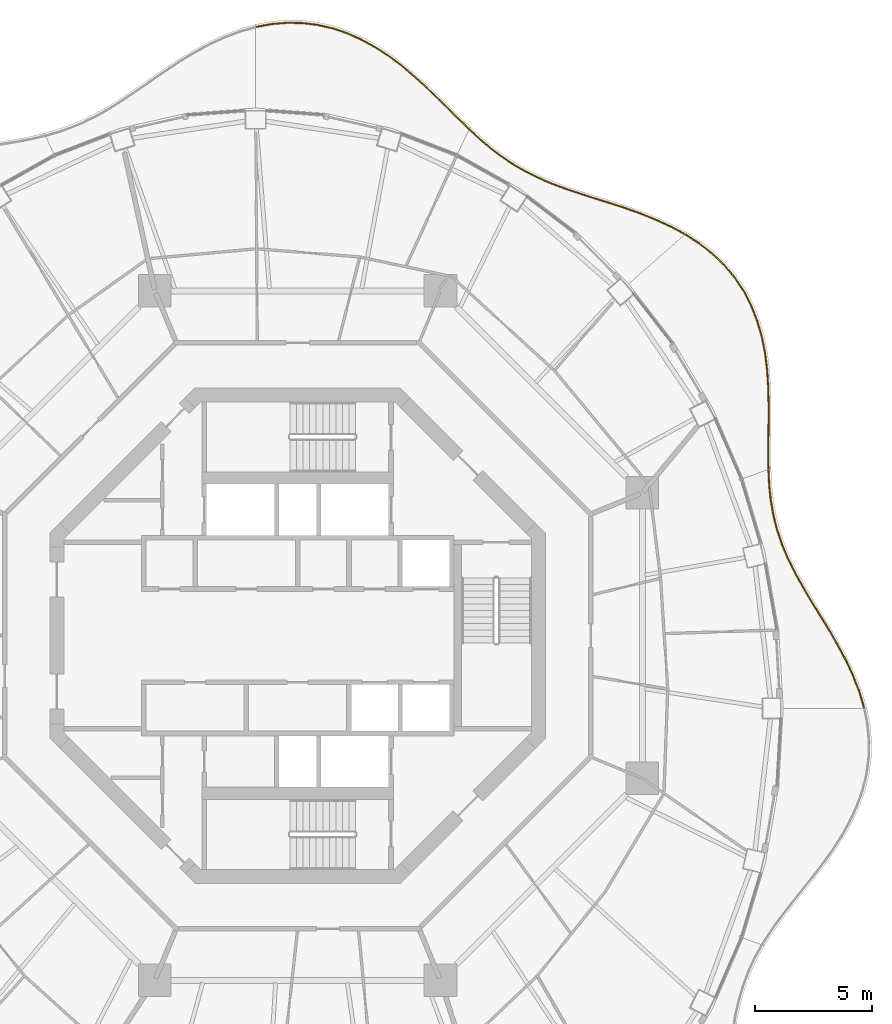
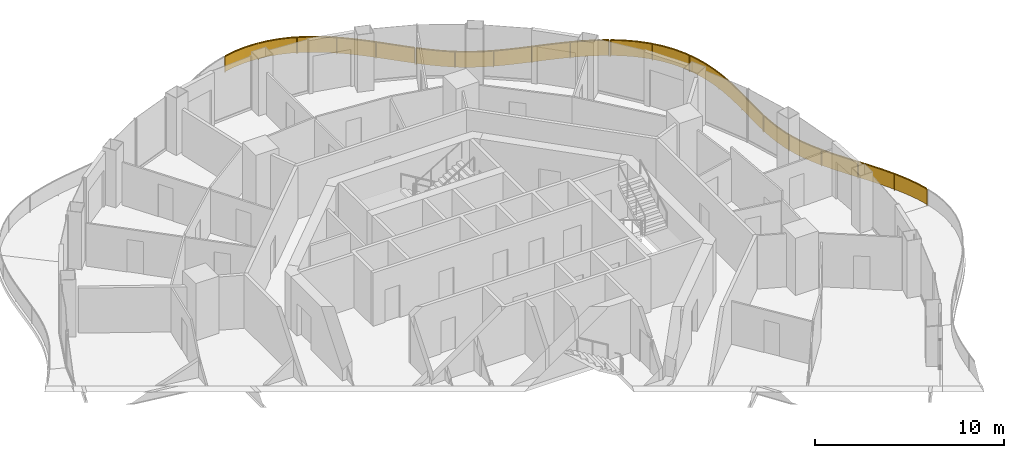
# One storey, part 17 of 17: 4 railings.
"""IFC4 building model written with IfcOpenShell, lengths in metres."""

from ifc_helpers import new_model, si_unit, direction, frame, origin, origin_2d, place, context, subcontext, project, spatial, polyline, rectangle, outline, extrude, material, type_object, element, save


model = new_model("IFC4")

# Units and contexts
model_context = context("Model", 3, precision=1e-05, world=origin(), true_north=direction((0.0, 1.0)))
body_context = subcontext(model_context, "Body", "Model", "MODEL_VIEW")
ifc_project = project(units=[si_unit("LENGTHUNIT", "METRE"), si_unit("AREAUNIT", "SQUARE_METRE"), si_unit("VOLUMEUNIT", "CUBIC_METRE"), si_unit("PLANEANGLEUNIT", "RADIAN"), si_unit("MASSUNIT", "GRAM", prefix="KILO")], contexts=[model_context])

# Site, building, storey
site_placement = place(None, origin())
site = spatial("IfcSite", under=ifc_project, at=site_placement, CompositionType="ELEMENT")
building_placement = place(site_placement, origin())
building = spatial("IfcBuilding", under=site, at=building_placement, Name="Nagisa Residences", CompositionType="ELEMENT")
storey_placement = place(building_placement, frame((0.0, 0.0, 273.300048828125)))
storey = spatial("IfcBuildingStorey", under=building, at=storey_placement, Name="L69", CompositionType="ELEMENT", Elevation=273.300048828125)

# Railings
ifc_material = material(Name="Stainless steel 316", Category="steel")
railing_type = type_object("IfcRailingType", Name="BALCONY GUARD 1100", PredefinedType="BALUSTRADE", material=ifc_material)
railing_1_placement = place(storey_placement, frame((24.2822265625, -3.08056640625, 0.0)))
element("IfcRailing", 1, at=railing_1_placement, inside=storey, type_object=railing_type, Name="guard:L69:bal00-0", PredefinedType="BALUSTRADE", context=body_context, shape_type="SweptSolid", body=[
    extrude(outline(polyline([(-0.21923828125, 0.64892578125), (-0.02392578125, -0.007080078125), (0.02392578125, 0.007080078125), (-0.171875, 0.6650390625), (-0.439453125, 1.356689453125), (-0.75537109375, 2.03515625), (-1.107666015625, 2.697998046875), (-1.48291015625, 3.345703125), (-1.865478515625, 3.965087890625), (-2.244873046875, 4.585205078125), (-2.607666015625, 5.195556640625), (-2.9423828125, 5.80029296875), (-3.240478515625, 6.403076171875), (-3.491455078125, 6.9951171875), (-3.69873046875, 7.608642578125), (-3.857421875, 8.234130859375), (-3.96923828125, 8.875732421875), (-4.039306640625, 9.535888671875), (-4.0712890625, 10.173583984375), (-4.12109375, 10.171142578125), (-4.089111328125, 9.531982421875), (-4.01904296875, 8.868896484375), (-3.90625, 8.223876953125), (-3.74658203125, 7.594482421875), (-3.538330078125, 6.9775390625), (-3.285888671875, 6.382080078125), (-2.98681640625, 5.77685546875), (-2.651123046875, 5.170654296875), (-2.287841796875, 4.559326171875), (-1.907958984375, 3.938720703125), (-1.52587890625, 3.31982421875), (-1.151611328125, 2.673583984375), (-0.80029296875, 2.0126953125), (-0.4853515625, 1.337158203125), (-0.21923828125, 0.64892578125)])), frame((0.0, 0.0, 1.050048828125)), (0.0, 0.0, 1.0), 0.050048828125),
    extrude(outline(polyline([(-0.2021484375, 0.65478515625), (-0.006591796875, -0.001953125), (0.006591796875, 0.001953125), (-0.18896484375, 0.6591796875), (-0.4560546875, 1.349609375), (-0.771484375, 2.027099609375), (-1.12353515625, 2.689208984375), (-1.498291015625, 3.33642578125), (-1.880859375, 3.95556640625), (-2.26025390625, 4.575927734375), (-2.623291015625, 5.1865234375), (-2.95849609375, 5.791748046875), (-3.2568359375, 6.3955078125), (-3.50830078125, 6.98876953125), (-3.7158203125, 7.603515625), (-3.875, 8.23046875), (-3.9873046875, 8.873291015625), (-4.05712890625, 9.534423828125), (-4.089111328125, 10.172607421875), (-4.103271484375, 10.172119140625), (-4.0712890625, 9.533447265625), (-4.0009765625, 8.871337890625), (-3.888671875, 8.2275390625), (-3.7294921875, 7.599609375), (-3.521484375, 6.98388671875), (-3.26953125, 6.3896484375), (-2.970703125, 5.785400390625), (-2.635498046875, 5.1796875), (-2.2724609375, 4.568603515625), (-1.892578125, 3.9482421875), (-1.510498046875, 3.3291015625), (-1.1357421875, 2.682373046875), (-0.7841796875, 2.020751953125), (-0.46875, 1.34423828125), (-0.2021484375, 0.65478515625)])), frame((0.0, 0.0, 0.06005859375)), (0.0, 0.0, 1.0), 0.989990234375),
    extrude(rectangle(XDim=0.0400390625, YDim=0.0400390625, at=origin_2d()), origin(), (0.0, 0.0, 1.0), 1.050048828125),
    extrude(rectangle(XDim=0.0400390625, YDim=0.0400390625, at=origin_2d()), frame((-0.80029296875, 2.066162109375, 0.0)), (0.0, 0.0, 1.0), 1.050048828125),
    extrude(rectangle(XDim=0.0400390625, YDim=0.0400390625, at=origin_2d()), frame((-1.9091796875, 3.988525390625, 0.0)), (0.0, 0.0, 1.0), 1.050048828125),
    extrude(rectangle(XDim=0.0400390625, YDim=0.0400390625, at=origin_2d()), frame((-3.0234375, 5.90771484375, 0.0)), (0.0, 0.0, 1.0), 1.050048828125),
    extrude(rectangle(XDim=0.0400390625, YDim=0.0400390625, at=origin_2d()), frame((-3.8173828125, 7.974609375, 0.0)), (0.0, 0.0, 1.0), 1.050048828125),
    extrude(rectangle(XDim=0.0400390625, YDim=0.0400390625, at=origin_2d()), frame((-4.09619140625, 10.17236328125, 0.0)), (0.0, 0.0, 1.0), 1.050048828125),
])
railing_2_placement = place(storey_placement, frame((20.18603515625, 7.1650390625, 0.0)))
element("IfcRailing", 2, at=railing_2_placement, inside=storey, type_object=railing_type, Name="guard:L69:bal01-0", PredefinedType="BALUSTRADE", context=body_context, shape_type="SweptSolid", body=[
    extrude(outline(polyline([(-0.0322265625, 0.63623046875), (-0.02490234375, -0.000244140625), (0.02490234375, 0.000244140625), (0.01806640625, 0.63623046875), (0.023193359375, 1.333251953125), (0.0322265625, 2.04541015625), (0.033203125, 2.769287109375), (0.013916015625, 3.49951171875), (-0.029296875, 4.217041015625), (-0.120361328125, 4.941162109375), (-0.26123046875, 5.65185546875), (-0.45947265625, 6.341064453125), (-0.719970703125, 7.001953125), (-1.03759765625, 7.6171875), (-1.426513671875, 8.200927734375), (-1.879638671875, 8.740966796875), (-2.3916015625, 9.23291015625), (-2.956298828125, 9.67626953125), (-3.52734375, 10.043212890625), (-3.55419921875, 10.001220703125), (-2.985107421875, 9.63525390625), (-2.42431640625, 9.1953125), (-1.916259765625, 8.706787109375), (-1.466552734375, 8.170654296875), (-1.08056640625, 7.591796875), (-0.765380859375, 6.9814453125), (-0.5068359375, 6.324951171875), (-0.31005859375, 5.64013671875), (-0.169677734375, 4.933349609375), (-0.0791015625, 4.212646484375), (-0.035888671875, 3.49755859375), (-0.01708984375, 2.768798828125), (-0.017578125, 2.0458984375), (-0.026611328125, 1.333740234375), (-0.0322265625, 0.63623046875)])), frame((0.0, 0.0, 1.050048828125)), (0.0, 0.0, 1.0), 0.050048828125),
    extrude(outline(polyline([(-0.01416015625, 0.63623046875), (-0.007080078125, 0.0), (0.007080078125, 0.0), (0.0, 0.63623046875), (0.00537109375, 1.33349609375), (0.014404296875, 2.045654296875), (0.01513671875, 2.76904296875), (-0.00390625, 3.498779296875), (-0.047119140625, 4.215576171875), (-0.13818359375, 4.9384765625), (-0.27880859375, 5.647705078125), (-0.4765625, 6.335205078125), (-0.736328125, 6.99462890625), (-1.052978515625, 7.608154296875), (-1.44091796875, 8.18994140625), (-1.892822265625, 8.728759765625), (-2.4033203125, 9.219482421875), (-2.966552734375, 9.661376953125), (-3.536865234375, 10.028076171875), (-3.544677734375, 10.016357421875), (-2.974853515625, 9.650146484375), (-2.41259765625, 9.208740234375), (-1.903076171875, 8.718994140625), (-1.4521484375, 8.181640625), (-1.065185546875, 7.600830078125), (-0.7490234375, 6.98876953125), (-0.48974609375, 6.330810546875), (-0.29248046875, 5.644287109375), (-0.15185546875, 4.93603515625), (-0.061279296875, 4.214111328125), (-0.01806640625, 3.498291015625), (0.0009765625, 2.76904296875), (0.000244140625, 2.045654296875), (-0.0087890625, 1.33349609375), (-0.01416015625, 0.63623046875)])), frame((0.0, 0.0, 0.06005859375)), (0.0, 0.0, 1.0), 0.989990234375),
    extrude(rectangle(XDim=0.0400390625, YDim=0.0400390625, at=origin_2d()), origin(), (0.0, 0.0, 1.0), 1.050048828125),
    extrude(rectangle(XDim=0.0400390625, YDim=0.0400390625, at=origin_2d()), frame((0.007568359375, 2.256103515625, 0.0)), (0.0, 0.0, 1.0), 1.050048828125),
    extrude(rectangle(XDim=0.0400390625, YDim=0.0400390625, at=origin_2d()), frame((-0.091064453125, 4.508544921875, 0.0)), (0.0, 0.0, 1.0), 1.050048828125),
    extrude(rectangle(XDim=0.0400390625, YDim=0.0400390625, at=origin_2d()), frame((-0.625, 6.692626953125, 0.0)), (0.0, 0.0, 1.0), 1.050048828125),
    extrude(rectangle(XDim=0.0400390625, YDim=0.0400390625, at=origin_2d()), frame((-1.7978515625, 8.6044921875, 0.0)), (0.0, 0.0, 1.0), 1.050048828125),
    extrude(rectangle(XDim=0.0400390625, YDim=0.0400390625, at=origin_2d()), frame((-3.540771484375, 10.022216796875, 0.0)), (0.0, 0.0, 1.0), 1.050048828125),
])
railing_3_placement = place(storey_placement, frame((16.578369140625, 17.22607421875, 0.0)))
element("IfcRailing", 3, at=railing_3_placement, inside=storey, type_object=railing_type, Name="guard:L69:bal02-0", PredefinedType="BALUSTRADE", context=body_context, shape_type="SweptSolid", body=[
    extrude(outline(polyline([(-0.58447265625, 0.2861328125), (-0.011962890625, -0.02197265625), (0.011962890625, 0.02197265625), (-0.56201171875, 0.3310546875), (-1.200439453125, 0.62646484375), (-1.8544921875, 0.889404296875), (-2.51513671875, 1.125732421875), (-3.1748046875, 1.343505859375), (-3.8134765625, 1.53955078125), (-4.44970703125, 1.7431640625), (-5.066650390625, 1.952880859375), (-5.660400390625, 2.17529296875), (-6.229736328125, 2.418212890625), (-6.760986328125, 2.67822265625), (-7.282958984375, 2.9775390625), (-7.784912109375, 3.310791015625), (-8.271240234375, 3.677978515625), (-8.746826171875, 4.07861328125), (-9.183837890625, 4.480224609375), (-9.217529296875, 4.443603515625), (-8.780029296875, 4.041015625), (-8.302490234375, 3.638916015625), (-7.813720703125, 3.269775390625), (-7.309326171875, 2.93505859375), (-6.784423828125, 2.6337890625), (-6.250732421875, 2.372802734375), (-5.678955078125, 2.12890625), (-5.083251953125, 1.905517578125), (-4.46533203125, 1.69580078125), (-3.82861328125, 1.49169921875), (-3.18994140625, 1.295654296875), (-2.53125, 1.078369140625), (-1.8720703125, 0.842529296875), (-1.220458984375, 0.58056640625), (-0.58447265625, 0.2861328125)])), frame((0.0, 0.0, 1.050048828125)), (0.0, 0.0, 1.0), 0.050048828125),
    extrude(outline(polyline([(-0.576416015625, 0.30224609375), (-0.00341796875, -0.006103515625), (0.00341796875, 0.006103515625), (-0.570068359375, 0.31494140625), (-1.207763671875, 0.60986328125), (-1.86083984375, 0.87255859375), (-2.52099609375, 1.108642578125), (-3.18017578125, 1.326171875), (-3.81884765625, 1.522216796875), (-4.455322265625, 1.72607421875), (-5.072509765625, 1.935791015625), (-5.6669921875, 2.15869140625), (-6.2373046875, 2.40185546875), (-6.76953125, 2.662109375), (-7.29248046875, 2.962158203125), (-7.795166015625, 3.2958984375), (-8.282470703125, 3.663818359375), (-8.7587890625, 4.065185546875), (-9.196044921875, 4.467041015625), (-9.205322265625, 4.456787109375), (-8.76806640625, 4.054443359375), (-8.291259765625, 3.653076171875), (-7.803466796875, 3.28466796875), (-7.2998046875, 2.950439453125), (-6.77587890625, 2.64990234375), (-6.2431640625, 2.38916015625), (-5.67236328125, 2.1455078125), (-5.077392578125, 1.922607421875), (-4.459716796875, 1.712890625), (-3.8232421875, 1.509033203125), (-3.1845703125, 1.31298828125), (-2.525390625, 1.095458984375), (-1.86572265625, 0.859375), (-1.213134765625, 0.59716796875), (-0.576416015625, 0.30224609375)])), frame((0.0, 0.0, 0.06005859375)), (0.0, 0.0, 1.0), 0.989990234375),
    extrude(rectangle(XDim=0.0400390625, YDim=0.0400390625, at=origin_2d()), origin(), (0.0, 0.0, 1.0), 1.050048828125),
    extrude(rectangle(XDim=0.0400390625, YDim=0.0400390625, at=origin_2d()), frame((-1.870849609375, 0.86865234375, 0.0)), (0.0, 0.0, 1.0), 1.050048828125),
    extrude(rectangle(XDim=0.0400390625, YDim=0.0400390625, at=origin_2d()), frame((-3.830322265625, 1.5185546875, 0.0)), (0.0, 0.0, 1.0), 1.050048828125),
    extrude(rectangle(XDim=0.0400390625, YDim=0.0400390625, at=origin_2d()), frame((-5.779052734375, 2.19873046875, 0.0)), (0.0, 0.0, 1.0), 1.050048828125),
    extrude(rectangle(XDim=0.0400390625, YDim=0.0400390625, at=origin_2d()), frame((-7.60205078125, 3.159423828125, 0.0)), (0.0, 0.0, 1.0), 1.050048828125),
    extrude(rectangle(XDim=0.0400390625, YDim=0.0400390625, at=origin_2d()), frame((-9.20068359375, 4.4619140625, 0.0)), (0.0, 0.0, 1.0), 1.050048828125),
])
railing_4_placement = place(storey_placement, frame((7.325927734375, 21.73974609375, 0.0)))
element("IfcRailing", 4, at=railing_4_placement, inside=storey, type_object=railing_type, Name="guard:L69:bal03-0", PredefinedType="BALUSTRADE", context=body_context, shape_type="SweptSolid", body=[
    extrude(outline(polyline([(-0.43896484375, 0.391845703125), (-0.017333984375, -0.017822265625), (0.017333984375, 0.017822265625), (-0.40380859375, 0.427490234375), (-0.864501953125, 0.88427734375), (-1.3359375, 1.350341796875), (-1.823486328125, 1.818115234375), (-2.330078125, 2.277587890625), (-2.842041015625, 2.714111328125), (-3.394287109375, 3.128173828125), (-3.970703125, 3.50439453125), (-4.5703125, 3.83447265625), (-5.191650390625, 4.1103515625), (-5.81640625, 4.32275390625), (-6.46826171875, 4.4716796875), (-7.13330078125, 4.55224609375), (-7.8037109375, 4.563232421875), (-8.474365234375, 4.5048828125), (-9.092529296875, 4.38818359375), (-9.083251953125, 4.3388671875), (-8.467529296875, 4.455078125), (-7.8017578125, 4.512939453125), (-7.13671875, 4.50244140625), (-6.47705078125, 4.42236328125), (-5.830078125, 4.2744140625), (-5.209716796875, 4.0634765625), (-4.5927734375, 3.78955078125), (-3.99658203125, 3.46142578125), (-3.423095703125, 3.087158203125), (-2.873291015625, 2.675048828125), (-2.36328125, 2.239990234375), (-1.857666015625, 1.781494140625), (-1.37109375, 1.314697265625), (-0.899658203125, 0.8486328125), (-0.43896484375, 0.391845703125)])), frame((0.0, 0.0, 1.050048828125)), (0.0, 0.0, 1.0), 0.050048828125),
    extrude(outline(polyline([(-0.42626953125, 0.40478515625), (-0.0048828125, -0.005126953125), (0.0048828125, 0.005126953125), (-0.41650390625, 0.41455078125), (-0.877197265625, 0.871337890625), (-1.3486328125, 1.337646484375), (-1.835693359375, 1.804931640625), (-2.342041015625, 2.26416015625), (-2.853271484375, 2.699951171875), (-3.40478515625, 3.113525390625), (-3.97998046875, 3.489013671875), (-4.578369140625, 3.818359375), (-5.1982421875, 4.093505859375), (-5.8212890625, 4.305419921875), (-6.471435546875, 4.453857421875), (-7.134521484375, 4.534423828125), (-7.802978515625, 4.545166015625), (-8.471923828125, 4.48681640625), (-9.089111328125, 4.370361328125), (-9.086669921875, 4.356689453125), (-8.469970703125, 4.47314453125), (-7.802490234375, 4.531005859375), (-7.135498046875, 4.520263671875), (-6.473876953125, 4.440185546875), (-5.8251953125, 4.291748046875), (-5.203125, 4.080322265625), (-4.584716796875, 3.8056640625), (-3.9873046875, 3.476806640625), (-3.41259765625, 3.101806640625), (-2.862060546875, 2.689208984375), (-2.351318359375, 2.25341796875), (-1.845458984375, 1.794677734375), (-1.3583984375, 1.327392578125), (-0.886962890625, 0.861572265625), (-0.42626953125, 0.40478515625)])), frame((0.0, 0.0, 0.06005859375)), (0.0, 0.0, 1.0), 0.989990234375),
    extrude(rectangle(XDim=0.0400390625, YDim=0.0400390625, at=origin_2d()), origin(), (0.0, 0.0, 1.0), 1.050048828125),
    extrude(rectangle(XDim=0.0400390625, YDim=0.0400390625, at=origin_2d()), frame((-1.515869140625, 1.48828125, 0.0)), (0.0, 0.0, 1.0), 1.050048828125),
    extrude(rectangle(XDim=0.0400390625, YDim=0.0400390625, at=origin_2d()), frame((-3.11328125, 2.88623046875, 0.0)), (0.0, 0.0, 1.0), 1.050048828125),
    extrude(rectangle(XDim=0.0400390625, YDim=0.0400390625, at=origin_2d()), frame((-4.934326171875, 3.96875, 0.0)), (0.0, 0.0, 1.0), 1.050048828125),
    extrude(rectangle(XDim=0.0400390625, YDim=0.0400390625, at=origin_2d()), frame((-6.978271484375, 4.50830078125, 0.0)), (0.0, 0.0, 1.0), 1.050048828125),
    extrude(rectangle(XDim=0.0400390625, YDim=0.0400390625, at=origin_2d()), frame((-9.087890625, 4.363525390625, 0.0)), (0.0, 0.0, 1.0), 1.050048828125),
])

save(model, "model.ifc")
